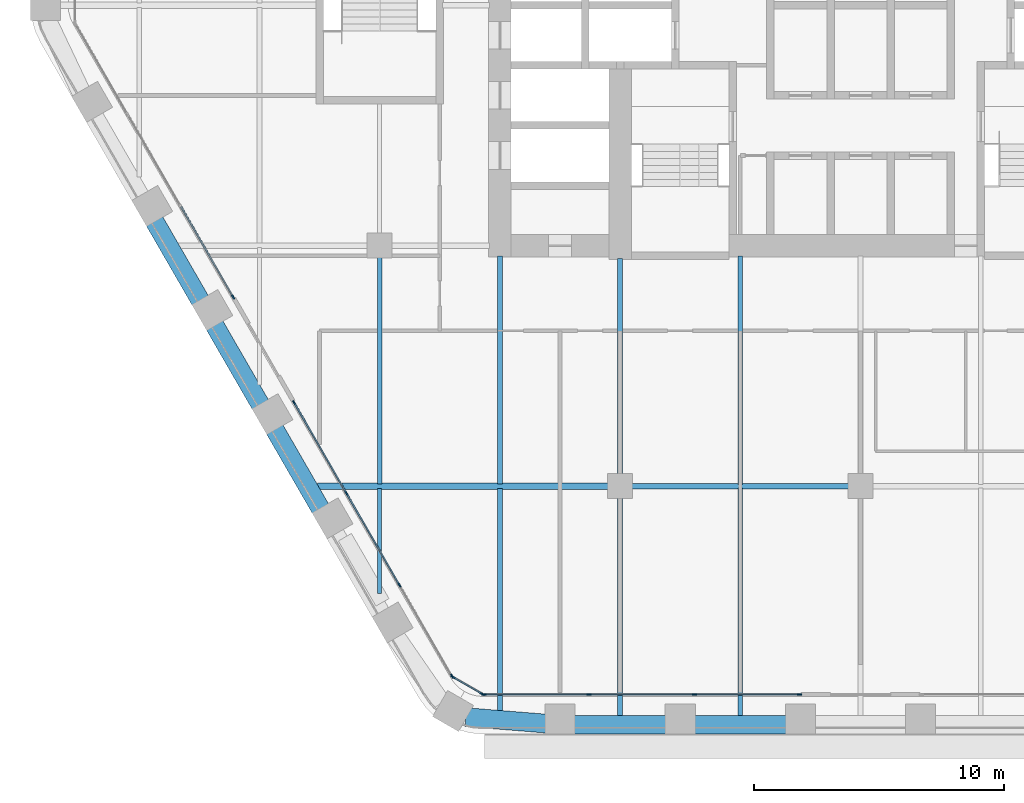
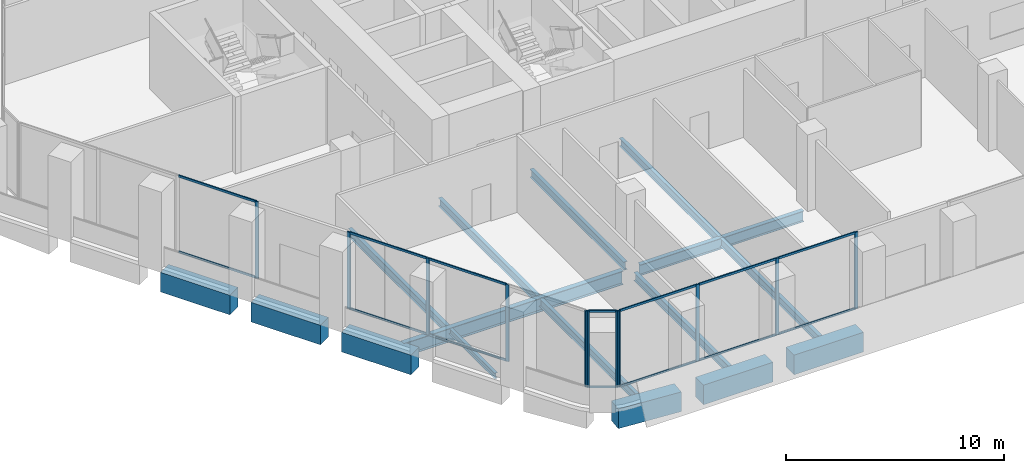
# One storey, part 2 of 22: 25 members, 16 beams, 4 elements without a shape of their own.
"""IFC4 building model written with IfcOpenShell, lengths in metres."""

from ifc_helpers import new_model, si_unit, direction, frame, origin, origin_2d, place, context, subcontext, project, spatial, rectangle, i_section, extrude, material, material_profile, profile_set, type_object, element, aggregate, save


model = new_model("IFC4")

# Units and contexts
model_context = context("Model", 3, precision=1e-05, world=origin(), true_north=direction((0.0, 1.0)))
body_context = subcontext(model_context, "Body", "Model", "MODEL_VIEW")
ifc_project = project(units=[si_unit("LENGTHUNIT", "METRE"), si_unit("AREAUNIT", "SQUARE_METRE"), si_unit("VOLUMEUNIT", "CUBIC_METRE"), si_unit("PLANEANGLEUNIT", "RADIAN"), si_unit("MASSUNIT", "GRAM", prefix="KILO")], contexts=[model_context])

# Site, building, storey
site_placement = place(None, origin())
site = spatial("IfcSite", under=ifc_project, at=site_placement, CompositionType="ELEMENT")
building_placement = place(site_placement, origin())
building = spatial("IfcBuilding", under=site, at=building_placement, Name="Kolab Exchange Tower", CompositionType="ELEMENT")
storey_placement = place(building_placement, frame((0.0, 0.0, 82.39990234375)))
storey = spatial("IfcBuildingStorey", under=building, at=storey_placement, Name="L15", CompositionType="ELEMENT", Elevation=82.39990234375)

# Beams
ifc_material_1 = material(Name="Steel S355", Category="steel")
ifc_material_profile_1 = material_profile(ifc_material_1, i_section(OverallWidth=0.1650390625, OverallDepth=0.31005859375, WebThickness=0.005859375, FlangeThickness=0.009765625, at=origin_2d()), Name="W310X39")
ifc_profile_set_1 = profile_set([ifc_material_profile_1], Name="Steel S355")
beam_type_1 = type_object("IfcBeamType", Name="FLOOR BEAM W310X39", PredefinedType="BEAM", material=ifc_profile_set_1)
beam_1_placement = place(storey_placement, frame((-19.199951171875, -23.4814453125, -0.35498046875), z_axis=(0.0, 1.0, 0.0), x_axis=(-1.0, 0.0, 0.0)))
element("IfcBeam", 1, at=beam_1_placement, inside=storey, type_object=beam_type_1, Name="beam/L15/fr/006", PredefinedType="BEAM", context=body_context, shape_type="SweptSolid", body=[
    extrude(i_section(OverallWidth=0.1650390625, OverallDepth=0.31005859375, WebThickness=0.005859375, FlangeThickness=0.009765625, at=origin_2d()), origin(), (0.0, 0.0, 1.0), 4.18798828125),
])
ifc_material_profile_2 = material_profile(ifc_material_1, i_section(OverallWidth=0.18994140625, OverallDepth=0.45703125, WebThickness=0.009033203125, FlangeThickness=0.014404296875, at=origin_2d()), Name="W460X74")
ifc_profile_set_2 = profile_set([ifc_material_profile_2], Name="Steel S355")
beam_type_2 = type_object("IfcBeamType", Name="FLOOR BEAM W460X74", PredefinedType="BEAM", material=ifc_profile_set_2)
beam_2_placement = place(storey_placement, frame((-19.199951171875, -19.1064453125, -0.428466796875), z_axis=(0.0, 1.0, 0.0), x_axis=(-1.0, 0.0, 0.0)))
element("IfcBeam", 2, at=beam_2_placement, inside=storey, type_object=beam_type_2, Name="beam/L15/fr/007", PredefinedType="BEAM", context=body_context, shape_type="SweptSolid", body=[
    extrude(i_section(OverallWidth=0.18994140625, OverallDepth=0.45703125, WebThickness=0.009033203125, FlangeThickness=0.014404296875, at=origin_2d()), origin(), (0.0, 0.0, 1.0), 9.04638671875),
])
beam_3_placement = place(storey_placement, frame((-14.39990234375, -28.194580078125, -0.428466796875), z_axis=(0.0, 1.0, 0.0), x_axis=(-1.0, 0.0, 0.0)))
element("IfcBeam", 3, at=beam_3_placement, inside=storey, type_object=beam_type_2, Name="beam/L15/fr/012", PredefinedType="BEAM", context=body_context, shape_type="SweptSolid", body=[
    extrude(i_section(OverallWidth=0.18994140625, OverallDepth=0.45703125, WebThickness=0.009033203125, FlangeThickness=0.014404296875, at=origin_2d()), origin(), (0.0, 0.0, 1.0), 8.901123046875),
])
beam_4_placement = place(storey_placement, frame((-14.39990234375, -19.1064453125, -0.428466796875), z_axis=(0.0, 1.0, 0.0), x_axis=(-1.0, 0.0, 0.0)))
element("IfcBeam", 4, at=beam_4_placement, inside=storey, type_object=beam_type_2, Name="beam/L15/fr/013", PredefinedType="BEAM", context=body_context, shape_type="SweptSolid", body=[
    extrude(i_section(OverallWidth=0.18994140625, OverallDepth=0.45703125, WebThickness=0.009033203125, FlangeThickness=0.014404296875, at=origin_2d()), origin(), (0.0, 0.0, 1.0), 9.096435546875),
])
beam_5_placement = place(storey_placement, frame((-9.60009765625, -28.388427734375, -0.428466796875), z_axis=(0.0, 1.0, 0.0), x_axis=(-1.0, 0.0, 0.0)))
element("IfcBeam", 5, at=beam_5_placement, inside=storey, type_object=beam_type_2, Name="beam/L15/fr/016", PredefinedType="BEAM", context=body_context, shape_type="SweptSolid", body=[
    extrude(i_section(OverallWidth=0.18994140625, OverallDepth=0.45703125, WebThickness=0.009033203125, FlangeThickness=0.014404296875, at=origin_2d()), origin(), (0.0, 0.0, 1.0), 8.728515625),
])
beam_6_placement = place(storey_placement, frame((-9.60009765625, -18.739990234375, -0.428466796875), z_axis=(0.0, 1.0, 0.0), x_axis=(-1.0, 0.0, 0.0)))
element("IfcBeam", 6, at=beam_6_placement, inside=storey, type_object=beam_type_2, Name="beam/L15/fr/017", PredefinedType="BEAM", context=body_context, shape_type="SweptSolid", body=[
    extrude(i_section(OverallWidth=0.18994140625, OverallDepth=0.45703125, WebThickness=0.009033203125, FlangeThickness=0.014404296875, at=origin_2d()), origin(), (0.0, 0.0, 1.0), 8.6298828125),
])
beam_7_placement = place(storey_placement, frame((-4.800048828125, -28.388427734375, -0.428466796875), z_axis=(0.0, 1.0, 0.0), x_axis=(-1.0, 0.0, 0.0)))
element("IfcBeam", 7, at=beam_7_placement, inside=storey, type_object=beam_type_2, Name="beam/L15/fr/020", PredefinedType="BEAM", context=body_context, shape_type="SweptSolid", body=[
    extrude(i_section(OverallWidth=0.18994140625, OverallDepth=0.45703125, WebThickness=0.009033203125, FlangeThickness=0.014404296875, at=origin_2d()), origin(), (0.0, 0.0, 1.0), 9.114501953125),
])
beam_8_placement = place(storey_placement, frame((-4.800048828125, -19.1259765625, -0.428466796875), z_axis=(0.0, 1.0, 0.0), x_axis=(-1.0, 0.0, 0.0)))
element("IfcBeam", 8, at=beam_8_placement, inside=storey, type_object=beam_type_2, Name="beam/L15/fr/021", PredefinedType="BEAM", context=body_context, shape_type="SweptSolid", body=[
    extrude(i_section(OverallWidth=0.18994140625, OverallDepth=0.45703125, WebThickness=0.009033203125, FlangeThickness=0.014404296875, at=origin_2d()), origin(), (0.0, 0.0, 1.0), 9.115966796875),
])
ifc_material_profile_3 = material_profile(ifc_material_1, i_section(OverallWidth=0.22802734375, OverallDepth=0.60791015625, WebThickness=0.01123046875, FlangeThickness=0.017333984375, at=origin_2d()), Name="W610X113")
ifc_profile_set_3 = profile_set([ifc_material_profile_3], Name="Steel S355")
beam_type_3 = type_object("IfcBeamType", Name="FLOOR GIRDER W610X113", PredefinedType="BEAM", material=ifc_profile_set_3)
beam_9_placement = place(storey_placement, frame((-9.139892578125, -19.199951171875, -0.50390625), z_axis=(1.0, 0.0, 0.0), x_axis=(0.0, 1.0, 0.0)))
element("IfcBeam", 9, at=beam_9_placement, inside=storey, type_object=beam_type_3, Name="beam/L15/gd/008", PredefinedType="BEAM", context=body_context, shape_type="SweptSolid", body=[
    extrude(i_section(OverallWidth=0.22802734375, OverallDepth=0.60791015625, WebThickness=0.01123046875, FlangeThickness=0.017333984375, at=origin_2d()), origin(), (0.0, 0.0, 1.0), 8.679931640625),
])
ifc_material_profile_4 = material_profile(ifc_material_1, i_section(OverallWidth=0.26708984375, OverallDepth=0.761962890625, WebThickness=0.014404296875, FlangeThickness=0.021484375, at=origin_2d()), Name="W760X173")
ifc_profile_set_4 = profile_set([ifc_material_profile_4], Name="Steel S355")
beam_type_4 = type_object("IfcBeamType", Name="FLOOR GIRDER W760X173", PredefinedType="BEAM", material=ifc_profile_set_4)
beam_10_placement = place(storey_placement, frame((-21.688720703125, -19.199951171875, -0.580810546875), z_axis=(1.0, 0.0, 0.0), x_axis=(0.0, 1.0, 0.0)))
element("IfcBeam", 10, at=beam_10_placement, inside=storey, type_object=beam_type_4, Name="beam/L15/gd/003", PredefinedType="BEAM", context=body_context, shape_type="SweptSolid", body=[
    extrude(i_section(OverallWidth=0.26708984375, OverallDepth=0.761962890625, WebThickness=0.014404296875, FlangeThickness=0.021484375, at=origin_2d()), origin(), (0.0, 0.0, 1.0), 11.628662109375),
])
ifc_material_2 = material(Name="Concrete C70/85", Category="concrete")
ifc_material_profile_5 = material_profile(ifc_material_2, rectangle(XDim=0.75, YDim=1.10009765625, at=origin_2d()), Name="RC750X1100")
ifc_profile_set_5 = profile_set([ifc_material_profile_5], Name="Concrete C70/85")
beam_type_5 = type_object("IfcBeamType", Name="SPANDREL BEAM 750X1100 C70/85", PredefinedType="BEAM", material=ifc_profile_set_5)
for number, where, z_axis, x_axis, name in (
    (11, (-2.9599609375, -28.723388671875, -0.75), (-1.0, 0.0, 0.0), (0.0, -1.0, 0.0), "beam/L15/sp/F4-05"),
    (12, (-7.760009765625, -28.723388671875, -0.75), (-1.0, 0.0, 0.0), (0.0, -1.0, 0.0), "beam/L15/sp/F4-06"),
):
    element("IfcBeam", number, at=place(storey_placement, frame(where, z_axis=z_axis, x_axis=x_axis)), inside=storey, type_object=beam_type_5, Name=name, PredefinedType="BEAM", context=body_context, shape_type="SweptSolid", body=[
        extrude(rectangle(XDim=0.75, YDim=1.10009765625, at=origin_2d()), origin(), (0.0, 0.0, 1.0), 3.679931640625),
    ])
beam_11_placement = place(storey_placement, frame((-12.56005859375, -28.678466796875, -0.75), z_axis=(-0.996791038408, 0.080047646748, 0.0), x_axis=(-0.080047646748, -0.996791038408, 0.0)))
element("IfcBeam", 13, at=beam_11_placement, inside=storey, type_object=beam_type_5, Name="beam/L15/sp/F4-07", PredefinedType="BEAM", context=body_context, shape_type="SweptSolid", body=[
    extrude(rectangle(XDim=0.75, YDim=1.10009765625, at=origin_2d()), origin(), (0.0, 0.0, 1.0), 3.20849609375),
])
beam_12_placement = place(storey_placement, frame((-21.55517578125, -20.112060546875, -0.75), z_axis=(-0.500013413428, 0.866017659399, 0.0), x_axis=(-0.866017659399, -0.500013413428, 0.0)))
element("IfcBeam", 14, at=beam_12_placement, inside=storey, type_object=beam_type_5, Name="beam/L15/sp/F5-03", PredefinedType="BEAM", context=body_context, shape_type="SweptSolid", body=[
    extrude(rectangle(XDim=0.75, YDim=1.10009765625, at=origin_2d()), origin(), (0.0, 0.0, 1.0), 3.68017578125),
])
beam_13_placement = place(storey_placement, frame((-23.955322265625, -15.955322265625, -0.75), z_axis=(-0.499963655964, 0.866046386007, 0.0), x_axis=(-0.866046386007, -0.499963655964, 0.0)))
element("IfcBeam", 15, at=beam_13_placement, inside=storey, type_object=beam_type_5, Name="beam/L15/sp/F5-04", PredefinedType="BEAM", context=body_context, shape_type="SweptSolid", body=[
    extrude(rectangle(XDim=0.75, YDim=1.10009765625, at=origin_2d()), origin(), (0.0, 0.0, 1.0), 3.679931640625),
])
beam_14_placement = place(storey_placement, frame((-26.355224609375, -11.79833984375, -0.75), z_axis=(-0.500013413428, 0.866017659399, 0.0), x_axis=(-0.866017659399, -0.500013413428, 0.0)))
element("IfcBeam", 16, at=beam_14_placement, inside=storey, type_object=beam_type_5, Name="beam/L15/sp/F5-05", PredefinedType="BEAM", context=body_context, shape_type="SweptSolid", body=[
    extrude(rectangle(XDim=0.75, YDim=1.10009765625, at=origin_2d()), origin(), (0.0, 0.0, 1.0), 3.68017578125),
])

# Curtain wall, members
ifc_material_3 = material(Name="Aluminium EN AW-6063 T6", Category="aluminium")
curtain_wall_type = type_object("IfcCurtainWallType", Name="UNITISED LOWER MID ZONE CURTAIN WALL", PredefinedType="NOTDEFINED", material=ifc_material_3)
curtain_wall_1_placement = place(storey_placement, origin())
curtain_wall_1 = element("IfcCurtainWall", 17, at=curtain_wall_1_placement, inside=storey, type_object=curtain_wall_type, Name="cw/L15/F4-2", PredefinedType="NOTDEFINED")
ifc_material_profile_6 = material_profile(ifc_material_3, rectangle(XDim=0.06005859375, YDim=0.179931640625, at=origin_2d()), Name="RECT 60X180")
ifc_profile_set_6 = profile_set([ifc_material_profile_6], Name="Aluminium EN AW-6063 T6")
member_type_1 = type_object("IfcMemberType", Name="UNITISED LOWER MID ZONE MULLION 60 X 180", PredefinedType="MULLION", material=ifc_profile_set_6)
member_1_placement = place(storey_placement, frame((-2.429931640625, -27.5185546875, 0.0), z_axis=(0.0, 0.0, 1.0), x_axis=(0.0, -1.0, 0.0)))
member_1 = element("IfcMember", 18, at=member_1_placement, type_object=member_type_1, Name="CW2 mullion 1", PredefinedType="MULLION", context=body_context, shape_type="SweptSolid", body=[
    extrude(rectangle(XDim=0.06005859375, YDim=0.179931640625, at=origin_2d()), origin(), (0.0, 0.0, 1.0), 4.300048828125),
])
member_2_placement = place(storey_placement, frame((-6.62255859375, -27.5185546875, 0.0), z_axis=(0.0, 0.0, 1.0), x_axis=(0.0, -1.0, 0.0)))
member_2 = element("IfcMember", 19, at=member_2_placement, type_object=member_type_1, Name="CW2 mullion 2", PredefinedType="MULLION", context=body_context, shape_type="SweptSolid", body=[
    extrude(rectangle(XDim=0.06005859375, YDim=0.179931640625, at=origin_2d()), origin(), (0.0, 0.0, 1.0), 4.300048828125),
])
member_3_placement = place(storey_placement, frame((-10.84521484375, -27.5185546875, 0.0), z_axis=(0.0, 0.0, 1.0), x_axis=(0.0, -1.0, 0.0)))
member_3 = element("IfcMember", 20, at=member_3_placement, type_object=member_type_1, Name="CW2 mullion 3", PredefinedType="MULLION", context=body_context, shape_type="SweptSolid", body=[
    extrude(rectangle(XDim=0.06005859375, YDim=0.179931640625, at=origin_2d()), origin(), (0.0, 0.0, 1.0), 4.300048828125),
])
member_4_placement = place(storey_placement, frame((-15.037841796875, -27.5185546875, 0.0), z_axis=(0.0, 0.0, 1.0), x_axis=(0.0, -1.0, 0.0)))
member_4 = element("IfcMember", 21, at=member_4_placement, type_object=member_type_1, Name="CW2 mullion 4", PredefinedType="MULLION", context=body_context, shape_type="SweptSolid", body=[
    extrude(rectangle(XDim=0.06005859375, YDim=0.179931640625, at=origin_2d()), origin(), (0.0, 0.0, 1.0), 4.300048828125),
])

curtain_wall_2_placement = place(storey_placement, origin())
curtain_wall_2 = element("IfcCurtainWall", 22, at=curtain_wall_2_placement, inside=storey, type_object=curtain_wall_type, Name="cw/L15/F5-1", PredefinedType="NOTDEFINED")
member_5_placement = place(storey_placement, frame((-16.312744140625, -26.782470703125, 0.0), z_axis=(0.0, 0.0, 1.0), x_axis=(-0.866025393644, -0.500000017564, 0.0)))
member_5 = element("IfcMember", 23, at=member_5_placement, type_object=member_type_1, Name="CW2 mullion 1", PredefinedType="MULLION", context=body_context, shape_type="SweptSolid", body=[
    extrude(rectangle(XDim=0.06005859375, YDim=0.179931640625, at=origin_2d()), origin(), (0.0, 0.0, 1.0), 4.300048828125),
])
member_6_placement = place(storey_placement, frame((-18.408935546875, -23.151611328125, 0.0), z_axis=(0.0, 0.0, 1.0), x_axis=(-0.866025393644, -0.500000017564, 0.0)))
member_6 = element("IfcMember", 24, at=member_6_placement, type_object=member_type_1, Name="CW2 mullion 2", PredefinedType="MULLION", context=body_context, shape_type="SweptSolid", body=[
    extrude(rectangle(XDim=0.06005859375, YDim=0.179931640625, at=origin_2d()), origin(), (0.0, 0.0, 1.0), 4.300048828125),
])
member_7_placement = place(storey_placement, frame((-20.520263671875, -19.49462890625, 0.0), z_axis=(0.0, 0.0, 1.0), x_axis=(-0.866025393644, -0.500000017564, 0.0)))
member_7 = element("IfcMember", 25, at=member_7_placement, type_object=member_type_1, Name="CW2 mullion 3", PredefinedType="MULLION", context=body_context, shape_type="SweptSolid", body=[
    extrude(rectangle(XDim=0.06005859375, YDim=0.179931640625, at=origin_2d()), origin(), (0.0, 0.0, 1.0), 4.300048828125),
])
member_8_placement = place(storey_placement, frame((-22.61669921875, -15.86376953125, 0.0), z_axis=(0.0, 0.0, 1.0), x_axis=(-0.866025393644, -0.500000017564, 0.0)))
member_8 = element("IfcMember", 26, at=member_8_placement, type_object=member_type_1, Name="CW2 mullion 4", PredefinedType="MULLION", context=body_context, shape_type="SweptSolid", body=[
    extrude(rectangle(XDim=0.06005859375, YDim=0.179931640625, at=origin_2d()), origin(), (0.0, 0.0, 1.0), 4.300048828125),
])

# Curtain wall, member
curtain_wall_3_placement = place(storey_placement, origin())
curtain_wall_3 = element("IfcCurtainWall", 27, at=curtain_wall_3_placement, inside=storey, type_object=curtain_wall_type, Name="cw/L15/F5-2", PredefinedType="NOTDEFINED")
member_9_placement = place(storey_placement, frame((-25.046630859375, -11.65478515625, 0.0), z_axis=(0.0, 0.0, 1.0), x_axis=(-0.866025427826, -0.499999958358, 0.0)))
member_9 = element("IfcMember", 28, at=member_9_placement, type_object=member_type_1, Name="CW2 mullion 1", PredefinedType="MULLION", context=body_context, shape_type="SweptSolid", body=[
    extrude(rectangle(XDim=0.06005859375, YDim=0.179931640625, at=origin_2d()), origin(), (0.0, 0.0, 1.0), 4.300048828125),
])

# Curtain wall, members
curtain_wall_4_placement = place(storey_placement, origin())
curtain_wall_4 = element("IfcCurtainWall", 29, at=curtain_wall_4_placement, inside=storey, type_object=curtain_wall_type, Name="cw/L15/F4F5-corner", PredefinedType="NOTDEFINED")
member_10_placement = place(storey_placement, frame((-15.093994140625, -27.50341796875, 0.0), z_axis=(0.0, 0.0, 1.0), x_axis=(-0.50000002237, -0.866025390869, 0.0)))
member_10 = element("IfcMember", 30, at=member_10_placement, type_object=member_type_1, Name="CW2 mullion 1", PredefinedType="MULLION", context=body_context, shape_type="SweptSolid", body=[
    extrude(rectangle(XDim=0.06005859375, YDim=0.179931640625, at=origin_2d()), origin(), (0.0, 0.0, 1.0), 4.300048828125),
])
member_11_placement = place(storey_placement, frame((-16.271728515625, -26.823486328125, 0.0), z_axis=(0.0, 0.0, 1.0), x_axis=(-0.50000002237, -0.866025390869, 0.0)))
member_11 = element("IfcMember", 31, at=member_11_placement, type_object=member_type_1, Name="CW2 mullion 2", PredefinedType="MULLION", context=body_context, shape_type="SweptSolid", body=[
    extrude(rectangle(XDim=0.06005859375, YDim=0.179931640625, at=origin_2d()), origin(), (0.0, 0.0, 1.0), 4.300048828125),
])

# Member
ifc_material_profile_7 = material_profile(ifc_material_3, rectangle(XDim=0.06005859375, YDim=0.1201171875, at=origin_2d()), Name="RECT 60X120")
ifc_profile_set_7 = profile_set([ifc_material_profile_7], Name="Aluminium EN AW-6063 T6")
member_type_2 = type_object("IfcMemberType", Name="UNITISED LOWER MID ZONE TRANSOM 60 X 120", PredefinedType="USERDEFINED", material=ifc_profile_set_7)
member_12_placement = place(storey_placement, frame((-2.4599609375, -27.5185546875, 0.030029296875), z_axis=(-1.0, 0.0, 0.0), x_axis=(0.0, -1.0, 0.0)))
member_12 = element("IfcMember", 32, at=member_12_placement, type_object=member_type_2, Name="CW2 transom 1.1", ObjectType="TRANSOM", PredefinedType="USERDEFINED", context=body_context, shape_type="SweptSolid", body=[
    extrude(rectangle(XDim=0.06005859375, YDim=0.1201171875, at=origin_2d()), origin(), (0.0, 0.0, 1.0), 4.132568359375),
])

member_13_placement = place(storey_placement, frame((-2.4599609375, -27.5185546875, 4.27001953125), z_axis=(-1.0, 0.0, 0.0), x_axis=(0.0, -1.0, 0.0)))
member_13 = element("IfcMember", 33, at=member_13_placement, type_object=member_type_2, Name="CW2 transom 1.2", ObjectType="TRANSOM", PredefinedType="USERDEFINED", context=body_context, shape_type="SweptSolid", body=[
    extrude(rectangle(XDim=0.06005859375, YDim=0.1201171875, at=origin_2d()), origin(), (0.0, 0.0, 1.0), 4.132568359375),
])

member_14_placement = place(storey_placement, frame((-6.652587890625, -27.5185546875, 0.030029296875), z_axis=(-1.0, 0.0, 0.0), x_axis=(0.0, -1.0, 0.0)))
member_14 = element("IfcMember", 34, at=member_14_placement, type_object=member_type_2, Name="CW2 transom 2.1", ObjectType="TRANSOM", PredefinedType="USERDEFINED", context=body_context, shape_type="SweptSolid", body=[
    extrude(rectangle(XDim=0.06005859375, YDim=0.1201171875, at=origin_2d()), origin(), (0.0, 0.0, 1.0), 4.16259765625),
])

member_15_placement = place(storey_placement, frame((-6.652587890625, -27.5185546875, 4.27001953125), z_axis=(-1.0, 0.0, 0.0), x_axis=(0.0, -1.0, 0.0)))
member_15 = element("IfcMember", 35, at=member_15_placement, type_object=member_type_2, Name="CW2 transom 2.2", ObjectType="TRANSOM", PredefinedType="USERDEFINED", context=body_context, shape_type="SweptSolid", body=[
    extrude(rectangle(XDim=0.06005859375, YDim=0.1201171875, at=origin_2d()), origin(), (0.0, 0.0, 1.0), 4.16259765625),
])

member_16_placement = place(storey_placement, frame((-10.875244140625, -27.5185546875, 0.030029296875), z_axis=(-1.0, 0.0, 0.0), x_axis=(0.0, -1.0, 0.0)))
member_16 = element("IfcMember", 36, at=member_16_placement, type_object=member_type_2, Name="CW2 transom 3.1", ObjectType="TRANSOM", PredefinedType="USERDEFINED", context=body_context, shape_type="SweptSolid", body=[
    extrude(rectangle(XDim=0.06005859375, YDim=0.1201171875, at=origin_2d()), origin(), (0.0, 0.0, 1.0), 4.1328125),
])

member_17_placement = place(storey_placement, frame((-10.875244140625, -27.5185546875, 4.27001953125), z_axis=(-1.0, 0.0, 0.0), x_axis=(0.0, -1.0, 0.0)))
member_17 = element("IfcMember", 37, at=member_17_placement, type_object=member_type_2, Name="CW2 transom 3.2", ObjectType="TRANSOM", PredefinedType="USERDEFINED", context=body_context, shape_type="SweptSolid", body=[
    extrude(rectangle(XDim=0.06005859375, YDim=0.1201171875, at=origin_2d()), origin(), (0.0, 0.0, 1.0), 4.1328125),
])

aggregate(curtain_wall_1, [member_1, member_2, member_3, member_4, member_12, member_13, member_14, member_15, member_16, member_17])

member_18_placement = place(storey_placement, frame((-18.424072265625, -23.12548828125, 0.030029296875), z_axis=(-0.49999322259, 0.866029316688, 0.0), x_axis=(-0.866029316688, -0.49999322259, 0.0)))
member_18 = element("IfcMember", 38, at=member_18_placement, type_object=member_type_2, Name="CW2 transom 2.1", ObjectType="TRANSOM", PredefinedType="USERDEFINED", context=body_context, shape_type="SweptSolid", body=[
    extrude(rectangle(XDim=0.06005859375, YDim=0.1201171875, at=origin_2d()), origin(), (0.0, 0.0, 1.0), 4.16259765625),
])

member_19_placement = place(storey_placement, frame((-18.424072265625, -23.12548828125, 4.27001953125), z_axis=(-0.49999322259, 0.866029316688, 0.0), x_axis=(-0.866029316688, -0.49999322259, 0.0)))
member_19 = element("IfcMember", 39, at=member_19_placement, type_object=member_type_2, Name="CW2 transom 2.2", ObjectType="TRANSOM", PredefinedType="USERDEFINED", context=body_context, shape_type="SweptSolid", body=[
    extrude(rectangle(XDim=0.06005859375, YDim=0.1201171875, at=origin_2d()), origin(), (0.0, 0.0, 1.0), 4.16259765625),
])

member_20_placement = place(storey_placement, frame((-20.535400390625, -19.46875, 0.030029296875), z_axis=(-0.499957688808, 0.866049830784, 0.0), x_axis=(-0.866049830784, -0.499957688808, 0.0)))
member_20 = element("IfcMember", 40, at=member_20_placement, type_object=member_type_2, Name="CW2 transom 3.1", ObjectType="TRANSOM", PredefinedType="USERDEFINED", context=body_context, shape_type="SweptSolid", body=[
    extrude(rectangle(XDim=0.06005859375, YDim=0.1201171875, at=origin_2d()), origin(), (0.0, 0.0, 1.0), 4.132568359375),
])

member_21_placement = place(storey_placement, frame((-20.535400390625, -19.46875, 4.27001953125), z_axis=(-0.499957688808, 0.866049830784, 0.0), x_axis=(-0.866049830784, -0.499957688808, 0.0)))
member_21 = element("IfcMember", 41, at=member_21_placement, type_object=member_type_2, Name="CW2 transom 3.2", ObjectType="TRANSOM", PredefinedType="USERDEFINED", context=body_context, shape_type="SweptSolid", body=[
    extrude(rectangle(XDim=0.06005859375, YDim=0.1201171875, at=origin_2d()), origin(), (0.0, 0.0, 1.0), 4.132568359375),
])

aggregate(curtain_wall_2, [member_5, member_6, member_7, member_8, member_18, member_19, member_20, member_21])

member_22_placement = place(storey_placement, frame((-25.061767578125, -11.62890625, 0.030029296875), z_axis=(-0.499957688808, 0.866049830784, 0.0), x_axis=(-0.866049830784, -0.499957688808, 0.0)))
member_22 = element("IfcMember", 42, at=member_22_placement, type_object=member_type_2, Name="CW2 transom 1.1", ObjectType="TRANSOM", PredefinedType="USERDEFINED", context=body_context, shape_type="SweptSolid", body=[
    extrude(rectangle(XDim=0.06005859375, YDim=0.1201171875, at=origin_2d()), origin(), (0.0, 0.0, 1.0), 4.132568359375),
])

member_23_placement = place(storey_placement, frame((-25.061767578125, -11.62890625, 4.27001953125), z_axis=(-0.499957688808, 0.866049830784, 0.0), x_axis=(-0.866049830784, -0.499957688808, 0.0)))
member_23 = element("IfcMember", 43, at=member_23_placement, type_object=member_type_2, Name="CW2 transom 1.2", ObjectType="TRANSOM", PredefinedType="USERDEFINED", context=body_context, shape_type="SweptSolid", body=[
    extrude(rectangle(XDim=0.06005859375, YDim=0.1201171875, at=origin_2d()), origin(), (0.0, 0.0, 1.0), 4.132568359375),
])

aggregate(curtain_wall_3, [member_9, member_22, member_23])

member_24_placement = place(storey_placement, frame((-15.119873046875, -27.488525390625, 0.030029296875), z_axis=(-0.866004217611, 0.500036693733, 0.0), x_axis=(-0.500036693733, -0.866004217611, 0.0)))
member_24 = element("IfcMember", 44, at=member_24_placement, type_object=member_type_2, Name="CW2 transom 1.1", ObjectType="TRANSOM", PredefinedType="USERDEFINED", context=body_context, shape_type="SweptSolid", body=[
    extrude(rectangle(XDim=0.06005859375, YDim=0.1201171875, at=origin_2d()), origin(), (0.0, 0.0, 1.0), 1.30029296875),
])

member_25_placement = place(storey_placement, frame((-15.119873046875, -27.488525390625, 4.27001953125), z_axis=(-0.866004217611, 0.500036693733, 0.0), x_axis=(-0.500036693733, -0.866004217611, 0.0)))
member_25 = element("IfcMember", 45, at=member_25_placement, type_object=member_type_2, Name="CW2 transom 1.2", ObjectType="TRANSOM", PredefinedType="USERDEFINED", context=body_context, shape_type="SweptSolid", body=[
    extrude(rectangle(XDim=0.06005859375, YDim=0.1201171875, at=origin_2d()), origin(), (0.0, 0.0, 1.0), 1.30029296875),
])

aggregate(curtain_wall_4, [member_10, member_11, member_24, member_25])

save(model, "model.ifc")
